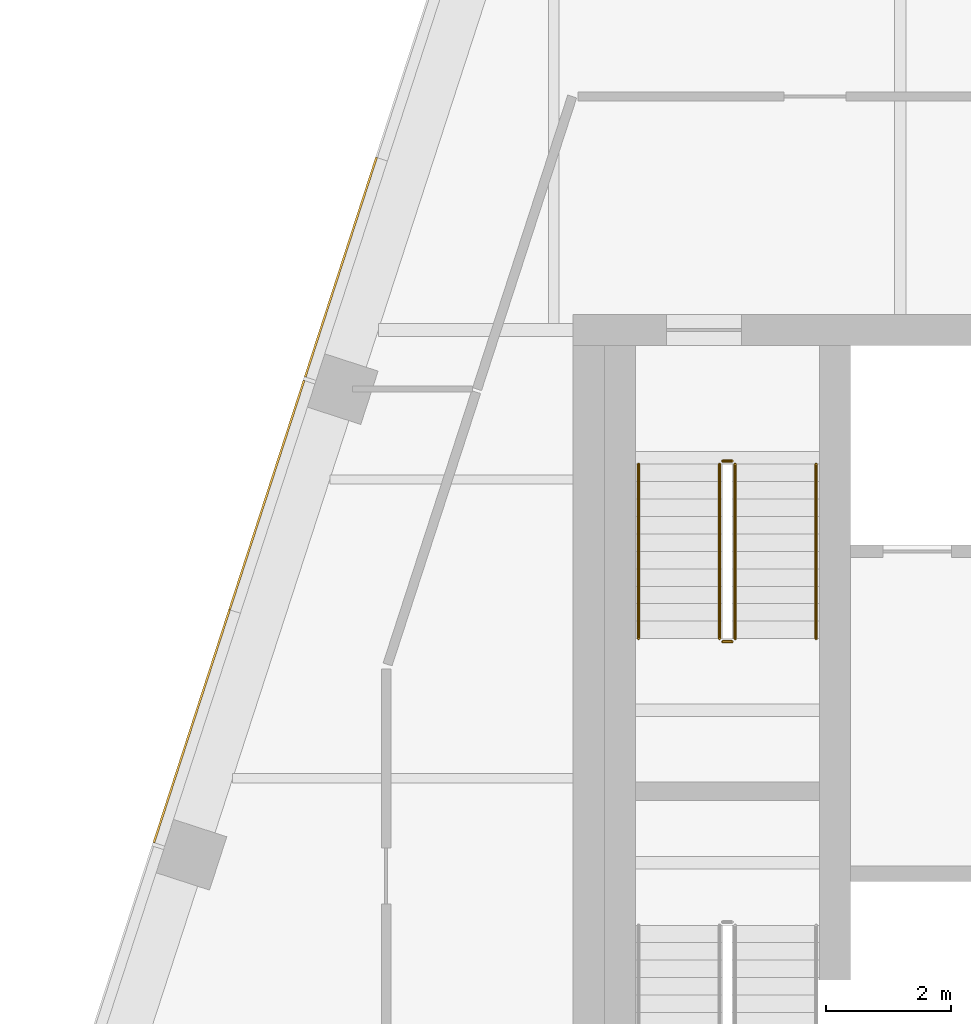
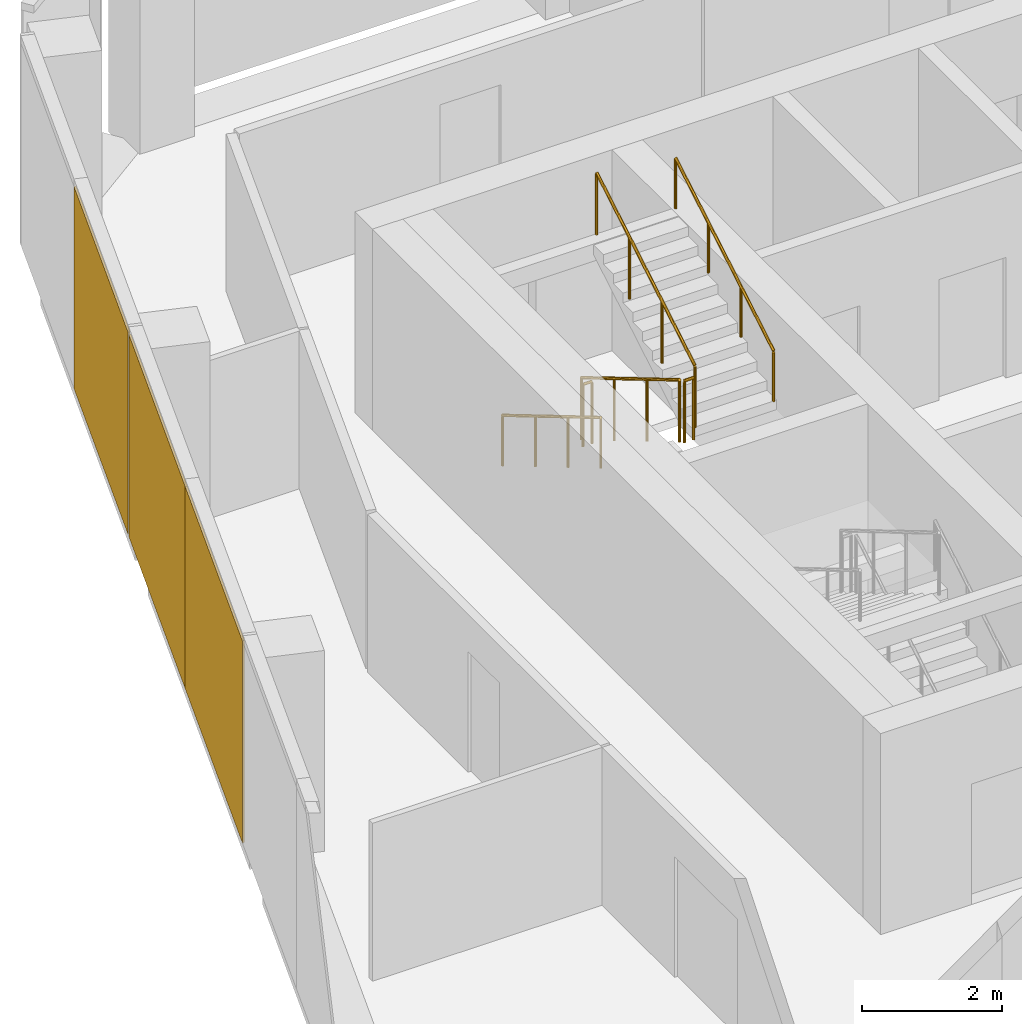
# One storey, part 14 of 15: 6 railings, 3 coverings, 1 element without a shape of its own.
"""IFC4 building model written with IfcOpenShell, lengths in metres."""

from ifc_helpers import new_model, si_unit, direction, frame, origin, origin_2d, place, context, subcontext, project, spatial, rectangle, circle, extrude, material, layer, layer_set, type_object, element, aggregate, save


model = new_model("IFC4")

# Units and contexts
model_context = context("Model", 3, precision=1e-05, world=origin(), true_north=direction((0.0, 1.0)))
body_context = subcontext(model_context, "Body", "Model", "MODEL_VIEW")
ifc_project = project(units=[si_unit("LENGTHUNIT", "METRE"), si_unit("AREAUNIT", "SQUARE_METRE"), si_unit("VOLUMEUNIT", "CUBIC_METRE"), si_unit("PLANEANGLEUNIT", "RADIAN"), si_unit("MASSUNIT", "GRAM", prefix="KILO")], contexts=[model_context])

# Site, building, storey
site_placement = place(None, origin())
site = spatial("IfcSite", under=ifc_project, at=site_placement, CompositionType="ELEMENT")
building_placement = place(site_placement, origin())
building = spatial("IfcBuilding", under=site, at=building_placement, Name="Isthmus Gate Tower", CompositionType="ELEMENT")
storey_placement = place(building_placement, frame((0.0, 0.0, 282.85009765625)))
storey = spatial("IfcBuildingStorey", under=building, at=storey_placement, Name="L72", CompositionType="ELEMENT", Elevation=282.85009765625)

# Curtain wall, coverings
ifc_material_1 = material(Name="Aluminium, pale champagne anodised", Category="aluminium")
ifc_layer_1 = layer(ifc_material_1, 0.199951171875)
ifc_layer_set_1 = layer_set([ifc_layer_1], Name="CW-1 UNITISED CURTAIN WALL 200 DEEP")
curtain_wall_type = type_object("IfcCurtainWallType", Name="CW-1 UNITISED CURTAIN WALL 200 DEEP", PredefinedType="NOTDEFINED", material=ifc_layer_set_1)
curtain_wall_placement = place(storey_placement, origin())
curtain_wall = element("IfcCurtainWall", 1, at=curtain_wall_placement, inside=storey, type_object=curtain_wall_type, Name="CW-1 NW L72", PredefinedType="NOTDEFINED")
ifc_material_2 = material(Name="Aluminium composite panel, pale champagne anodised", Category="aluminium")
ifc_layer_2 = layer(ifc_material_2, 0.031982421875)
ifc_layer_set_2 = layer_set([ifc_layer_2], Name="CW-1 PALE METAL PANEL 32")
covering_type = type_object("IfcCoveringType", Name="CW-1 PALE METAL PANEL 32", PredefinedType="CLADDING", material=ifc_layer_set_2)
covering_1_placement = place(storey_placement, frame((-18.727783203125, 15.760498046875, 0.0), z_axis=(0.0, 0.0, 1.0), x_axis=(-0.309016994375, -0.951056516295, 0.0)))
covering_1 = element("IfcCovering", 2, at=covering_1_placement, type_object=covering_type, Name="CW-1 pale metal panel", PredefinedType="CLADDING", context=body_context, shape_type="SweptSolid", body=[
    extrude(rectangle(XDim=3.703369140625, YDim=0.031982421875, at=origin_2d()), origin(), (0.0, 0.0, 1.0), 3.52001953125),
])
covering_2_placement = place(storey_placement, frame((-19.916259765625, 12.10302734375, 0.0), z_axis=(0.0, 0.0, 1.0), x_axis=(-0.309016994375, -0.951056516295, 0.0)))
covering_2 = element("IfcCovering", 3, at=covering_2_placement, type_object=covering_type, Name="CW-1 pale metal panel", PredefinedType="CLADDING", context=body_context, shape_type="SweptSolid", body=[
    extrude(rectangle(XDim=3.868408203125, YDim=0.031982421875, at=origin_2d()), origin(), (0.0, 0.0, 1.0), 3.52001953125),
])
covering_3_placement = place(storey_placement, frame((-21.120849609375, 8.395263671875, 0.0), z_axis=(0.0, 0.0, 1.0), x_axis=(-0.309016994375, -0.951056516295, 0.0)))
covering_3 = element("IfcCovering", 4, at=covering_3_placement, type_object=covering_type, Name="CW-1 pale metal panel", PredefinedType="CLADDING", context=body_context, shape_type="SweptSolid", body=[
    extrude(rectangle(XDim=3.928466796875, YDim=0.031982421875, at=origin_2d()), origin(), (0.0, 0.0, 1.0), 3.52001953125),
])
aggregate(curtain_wall, [covering_1, covering_2, covering_3])

# Railings
ifc_material_3 = material(Name="Stainless steel balustrade", Category="steel")
railing_type_1 = type_object("IfcRailingType", Name="STAIR GUARD 1100", PredefinedType="GUARDRAIL", material=ifc_material_3)
railing_1_placement = place(storey_placement, frame((-12.64990234375, 12.60009765625, 0.165771484375)))
element("IfcRailing", 5, at=railing_1_placement, inside=storey, type_object=railing_type_1, Name="L72 ST1 stair guard 1", PredefinedType="GUARDRAIL", context=body_context, shape_type="SweptSolid", body=[
    extrude(circle(Radius=0.02392578125, at=origin_2d()), frame((0.0, 0.0, 1.076171875), z_axis=(0.0, -0.860306154799, 0.50977771628), x_axis=(1.0, 0.0, 0.0)), (0.0, 0.0, 1.0), 3.254638671875),
    extrude(circle(Radius=0.02099609375, at=origin_2d()), origin(), (0.0, 0.0, 1.0), 1.052001953125),
    extrude(circle(Radius=0.02099609375, at=origin_2d()), frame((0.0, -0.933349609375, 0.552978515625)), (0.0, 0.0, 1.0), 1.052001953125),
    extrude(circle(Radius=0.02099609375, at=origin_2d()), frame((0.0, -1.86669921875, 1.106201171875)), (0.0, 0.0, 1.0), 1.052001953125),
    extrude(circle(Radius=0.02099609375, at=origin_2d()), frame((0.0, -2.800048828125, 1.6591796875)), (0.0, 0.0, 1.0), 1.052001953125),
])
railing_2_placement = place(storey_placement, frame((-12.60009765625, 9.75, 1.824951171875)))
element("IfcRailing", 6, at=railing_2_placement, inside=storey, type_object=railing_type_1, Name="L72 ST1 stair guard 2", PredefinedType="GUARDRAIL", context=body_context, shape_type="SweptSolid", body=[
    extrude(circle(Radius=0.02392578125, at=origin_2d()), frame((0.0, 0.0, 1.076171875), z_axis=(1.0, 0.0, 0.0), x_axis=(0.0, 1.0, 0.0)), (0.0, 0.0, 1.0), 0.150146484375),
    extrude(circle(Radius=0.02099609375, at=origin_2d()), origin(), (0.0, 0.0, 1.0), 1.052001953125),
    extrude(circle(Radius=0.02099609375, at=origin_2d()), frame((0.150146484375, 0.0, 0.0)), (0.0, 0.0, 1.0), 1.052001953125),
])
railing_3_placement = place(storey_placement, frame((-12.39990234375, 9.800048828125, 1.99072265625)))
element("IfcRailing", 7, at=railing_3_placement, inside=storey, type_object=railing_type_1, Name="L72 ST1 stair guard 3", PredefinedType="GUARDRAIL", context=body_context, shape_type="SweptSolid", body=[
    extrude(circle(Radius=0.02392578125, at=origin_2d()), frame((0.0, 0.0, 1.076171875), z_axis=(0.0, 0.860306154799, 0.50977771628), x_axis=(-1.0, 0.0, 0.0)), (0.0, 0.0, 1.0), 3.254638671875),
    extrude(circle(Radius=0.02099609375, at=origin_2d()), origin(), (0.0, 0.0, 1.0), 1.052001953125),
    extrude(circle(Radius=0.02099609375, at=origin_2d()), frame((0.0, 0.933349609375, 0.552978515625)), (0.0, 0.0, 1.0), 1.052001953125),
    extrude(circle(Radius=0.02099609375, at=origin_2d()), frame((0.0, 1.86669921875, 1.106201171875)), (0.0, 0.0, 1.0), 1.052001953125),
    extrude(circle(Radius=0.02099609375, at=origin_2d()), frame((0.0, 2.800048828125, 1.6591796875)), (0.0, 0.0, 1.0), 1.052001953125),
])
railing_4_placement = place(storey_placement, frame((-12.60009765625, 12.64990234375, 0.0)))
element("IfcRailing", 8, at=railing_4_placement, inside=storey, type_object=railing_type_1, Name="L72 ST1 stair guard 4", PredefinedType="GUARDRAIL", context=body_context, shape_type="SweptSolid", body=[
    extrude(circle(Radius=0.02392578125, at=origin_2d()), frame((0.0, 0.0, 1.076171875), z_axis=(1.0, 0.0, 0.0), x_axis=(0.0, 1.0, 0.0)), (0.0, 0.0, 1.0), 0.150146484375),
    extrude(circle(Radius=0.02099609375, at=origin_2d()), origin(), (0.0, 0.0, 1.0), 1.052001953125),
    extrude(circle(Radius=0.02099609375, at=origin_2d()), frame((0.150146484375, 0.0, 0.0)), (0.0, 0.0, 1.0), 1.052001953125),
])
ifc_material_4 = material(Name="Stainless steel handrail", Category="steel")
railing_type_2 = type_object("IfcRailingType", Name="STAIR HANDRAIL 900", PredefinedType="HANDRAIL", material=ifc_material_4)
railing_5_placement = place(storey_placement, frame((-13.949951171875, 12.60009765625, 0.165771484375)))
element("IfcRailing", 9, at=railing_5_placement, inside=storey, type_object=railing_type_2, Name="L72 ST1 stair handrail 1", PredefinedType="HANDRAIL", context=body_context, shape_type="SweptSolid", body=[
    extrude(circle(Radius=0.02392578125, at=origin_2d()), frame((0.0, 0.0, 0.8759765625), z_axis=(0.0, -0.860306154799, 0.50977771628), x_axis=(1.0, 0.0, 0.0)), (0.0, 0.0, 1.0), 3.254638671875),
    extrude(circle(Radius=0.02099609375, at=origin_2d()), origin(), (0.0, 0.0, 1.0), 0.851806640625),
    extrude(circle(Radius=0.02099609375, at=origin_2d()), frame((0.0, -0.933349609375, 0.552978515625)), (0.0, 0.0, 1.0), 0.851806640625),
    extrude(circle(Radius=0.02099609375, at=origin_2d()), frame((0.0, -1.86669921875, 1.106201171875)), (0.0, 0.0, 1.0), 0.851806640625),
    extrude(circle(Radius=0.02099609375, at=origin_2d()), frame((0.0, -2.800048828125, 1.6591796875)), (0.0, 0.0, 1.0), 0.851806640625),
])
railing_6_placement = place(storey_placement, frame((-11.10009765625, 9.800048828125, 1.99072265625)))
element("IfcRailing", 10, at=railing_6_placement, inside=storey, type_object=railing_type_2, Name="L72 ST1 stair handrail 2", PredefinedType="HANDRAIL", context=body_context, shape_type="SweptSolid", body=[
    extrude(circle(Radius=0.02392578125, at=origin_2d()), frame((0.0, 0.0, 0.8759765625), z_axis=(0.0, 0.860306154799, 0.50977771628), x_axis=(-1.0, 0.0, 0.0)), (0.0, 0.0, 1.0), 3.254638671875),
    extrude(circle(Radius=0.02099609375, at=origin_2d()), origin(), (0.0, 0.0, 1.0), 0.851806640625),
    extrude(circle(Radius=0.02099609375, at=origin_2d()), frame((0.0, 0.933349609375, 0.552978515625)), (0.0, 0.0, 1.0), 0.851806640625),
    extrude(circle(Radius=0.02099609375, at=origin_2d()), frame((0.0, 1.86669921875, 1.106201171875)), (0.0, 0.0, 1.0), 0.851806640625),
    extrude(circle(Radius=0.02099609375, at=origin_2d()), frame((0.0, 2.800048828125, 1.6591796875)), (0.0, 0.0, 1.0), 0.851806640625),
])

save(model, "model.ifc")
